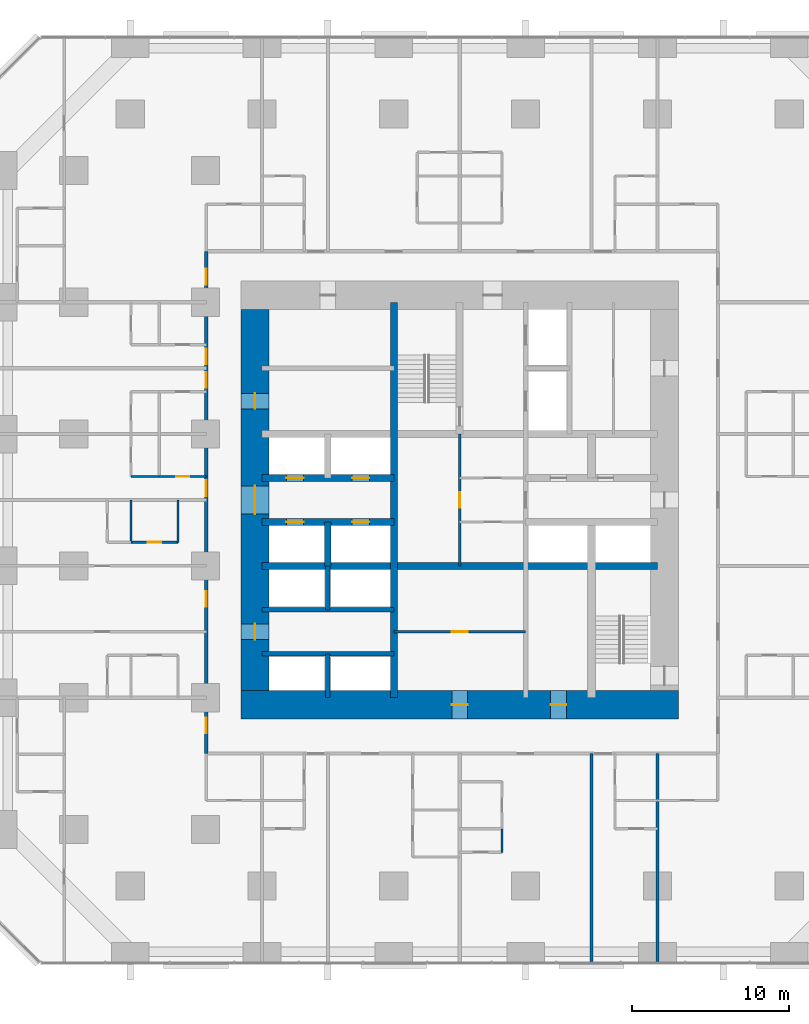
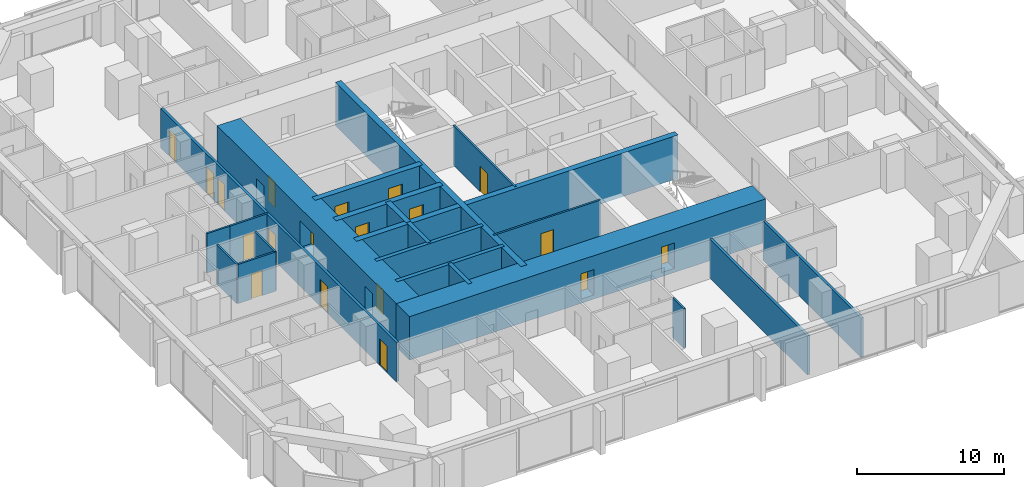
# One storey, part 12 of 17: 22 walls, 19 doors, 19 openings.
"""IFC4 building model written with IfcOpenShell, lengths in metres."""

from ifc_helpers import new_model, si_unit, direction, frame, frame_2d, origin, place, context, subcontext, project, spatial, rectangle, extrude, material, layer, layer_set, type_object, element, fill, save


model = new_model("IFC4")

# Units and contexts
model_context = context("Model", 3, precision=1e-05, world=origin(), true_north=direction((0.0, 1.0)))
body_context = subcontext(model_context, "Body", "Model", "MODEL_VIEW")
ifc_project = project(units=[si_unit("LENGTHUNIT", "METRE"), si_unit("AREAUNIT", "SQUARE_METRE"), si_unit("VOLUMEUNIT", "CUBIC_METRE"), si_unit("PLANEANGLEUNIT", "RADIAN"), si_unit("MASSUNIT", "GRAM", prefix="KILO")], contexts=[model_context])

# Site, building, storey
site_placement = place(None, origin())
site = spatial("IfcSite", under=ifc_project, at=site_placement, CompositionType="ELEMENT")
building_placement = place(site_placement, origin())
building = spatial("IfcBuilding", under=site, at=building_placement, Name="Dunama Terrace Hotel", CompositionType="ELEMENT")
storey_placement = place(building_placement, frame((0.0, 0.0, 37.800048828125)))
storey = spatial("IfcBuildingStorey", under=building, at=storey_placement, Name="L08", CompositionType="ELEMENT", Elevation=37.800048828125)

# Wall
ifc_material_1 = material(Name="Gypsum board partition", Category="masonry")
ifc_layer_1 = layer(ifc_material_1, 0.14990234375)
ifc_layer_set_1 = layer_set([ifc_layer_1], Name="Bathroom partition 150")
wall_type_1 = type_object("IfcWallType", Name="Bathroom partition 150", PredefinedType="PARTITIONING", material=ifc_layer_set_1)
wall_1_placement = place(storey_placement, frame((11.449951171875, 26.699951171875, 0.0), z_axis=(0.0, 0.0, 1.0), x_axis=(0.0, 1.0, 0.0)))
element("IfcWall", 1, at=wall_1_placement, inside=storey, type_object=wall_type_1, Name="Bathroom partition 150 L08", PredefinedType="PARTITIONING", context=body_context, shape_type="SweptSolid", body=[
    extrude(rectangle(XDim=2.699951171875, YDim=0.14990234375, at=frame_2d((1.35009765625, 0.0))), origin(), (0.0, 0.0, 1.0), 3.25),
])

# Wall, opening, door
wall_2_placement = place(storey_placement, frame((8.449951171875, 26.699951171875, 0.0), z_axis=(0.0, 0.0, 1.0), x_axis=(1.0, 0.0, 0.0)))
wall_2 = element("IfcWall", 2, at=wall_2_placement, inside=storey, type_object=wall_type_1, Name="Bathroom partition 150 L08", PredefinedType="PARTITIONING", context=body_context, shape_type="SweptSolid", body=[
    extrude(rectangle(XDim=3.0, YDim=0.14990234375, at=frame_2d((1.5, 0.0))), origin(), (0.0, 0.0, 1.0), 3.25),
])
opening_1_placement = place(wall_2_placement, frame((1.074951171875, 0.0, 0.0)))
opening_1 = element("IfcOpeningElement", 3, at=opening_1_placement, cuts=wall_2, Name="Opening L07-09-047", PredefinedType="OPENING", context=body_context, shape_type="SweptSolid", body=[
    extrude(rectangle(XDim=0.85009765625, YDim=2.10009765625, at=frame_2d((0.425048828125, 1.050048828125))), frame((0.0, 0.0849609375, 0.0), z_axis=(0.0, -1.0, 0.0), x_axis=(1.0, 0.0, 0.0)), (0.0, 0.0, 1.0), 0.169921875),
])
ifc_material_2 = material(Name="Timber door with steel frame", Category="steel")
door_type_1 = type_object("IfcDoorType", Name="Bathroom door 850", OperationType="SINGLE_SWING_LEFT", PredefinedType="DOOR", material=ifc_material_2)
door_1_placement = place(opening_1_placement, origin())
door_1 = element("IfcDoor", 4, at=door_1_placement, inside=storey, type_object=door_type_1, Name="Door to en-suite bathroom L07-09-047, type D2", OperationType="SINGLE_SWING_LEFT", OverallHeight=2.10009765625, OverallWidth=0.85009765625, PredefinedType="DOOR", context=body_context, shape_type="SweptSolid", body=[
    extrude(rectangle(XDim=0.85009765625, YDim=2.10009765625, at=frame_2d((0.425048828125, 1.050048828125))), frame((0.0, 0.02490234375, 0.0), z_axis=(0.0, -1.0, 0.0), x_axis=(1.0, 0.0, 0.0)), (0.0, 0.0, 1.0), 0.050048828125),
])
fill(opening_1, door_1)

wall_3_placement = place(storey_placement, frame((10.25, 30.89990234375, 0.0), z_axis=(0.0, 0.0, 1.0), x_axis=(1.0, 0.0, 0.0)))
wall_3 = element("IfcWall", 5, at=wall_3_placement, inside=storey, type_object=wall_type_1, Name="Bathroom partition 150 L08", PredefinedType="PARTITIONING", context=body_context, shape_type="SweptSolid", body=[
    extrude(rectangle(XDim=3.0, YDim=0.14990234375, at=frame_2d((1.5, 0.0))), origin(), (0.0, 0.0, 1.0), 3.25),
])
opening_2_placement = place(wall_3_placement, frame((1.074951171875, 0.0, 0.0)))
opening_2 = element("IfcOpeningElement", 6, at=opening_2_placement, cuts=wall_3, Name="Opening L07-09-050", PredefinedType="OPENING", context=body_context, shape_type="SweptSolid", body=[
    extrude(rectangle(XDim=0.85009765625, YDim=2.10009765625, at=frame_2d((0.425048828125, 1.050048828125))), frame((0.0, 0.0849609375, 0.0), z_axis=(0.0, -1.0, 0.0), x_axis=(1.0, 0.0, 0.0)), (0.0, 0.0, 1.0), 0.169921875),
])
door_2_placement = place(opening_2_placement, origin())
door_2 = element("IfcDoor", 7, at=door_2_placement, inside=storey, type_object=door_type_1, Name="Door to en-suite bathroom L07-09-050, type D2", OperationType="SINGLE_SWING_RIGHT", OverallHeight=2.10009765625, OverallWidth=0.85009765625, PredefinedType="DOOR", context=body_context, shape_type="SweptSolid", body=[
    extrude(rectangle(XDim=0.85009765625, YDim=2.10009765625, at=frame_2d((0.425048828125, 1.050048828125))), frame((0.0, 0.02490234375, 0.0), z_axis=(0.0, -1.0, 0.0), x_axis=(1.0, 0.0, 0.0)), (0.0, 0.0, 1.0), 0.050048828125),
])
fill(opening_2, door_2)

# Walls
ifc_material_3 = material(Name="Concrete C50/60", Category="concrete")
ifc_layer_2 = layer(ifc_material_3, 0.300048828125)
ifc_layer_set_2 = layer_set([ifc_layer_2], Name="Core inner wall 300")
wall_type_2 = type_object("IfcWallType", Name="Core inner wall 300", PredefinedType="SHEAR", material=ifc_layer_set_2)
for number, where, z_axis, x_axis, name in (
    (8, (21.0, 16.800048828125, -0.35009765625), (0.0, 0.0, 1.0), (0.0, 1.0, 0.0), "Core inner wall 300 L08"),
    (9, (21.0, 22.39990234375, -0.35009765625), (0.0, 0.0, 1.0), (0.0, 1.0, 0.0), "Core inner wall 300 L08"),
):
    element("IfcWall", number, at=place(storey_placement, frame(where, z_axis=z_axis, x_axis=x_axis)), inside=storey, type_object=wall_type_2, Name=name, PredefinedType="SHEAR", context=body_context, shape_type="SweptSolid", body=[
        extrude(rectangle(XDim=2.800048828125, YDim=0.300048828125, at=frame_2d((1.39990234375, 0.0))), origin(), (0.0, 0.0, 1.0), 3.60009765625),
    ])
for number, where, z_axis, x_axis, name in (
    (10, (16.800048828125, 19.60009765625, -0.35009765625), (0.0, 0.0, 1.0), (1.0, 0.0, 0.0), "Core inner wall 300 L08"),
    (11, (16.800048828125, 22.39990234375, -0.35009765625), (0.0, 0.0, 1.0), (1.0, 0.0, 0.0), "Core inner wall 300 L08"),
):
    element("IfcWall", number, at=place(storey_placement, frame(where, z_axis=z_axis, x_axis=x_axis)), inside=storey, type_object=wall_type_2, Name=name, PredefinedType="SHEAR", context=body_context, shape_type="SweptSolid", body=[
        extrude(rectangle(XDim=8.39990234375, YDim=0.300048828125, at=frame_2d((4.199951171875, 0.0))), origin(), (0.0, 0.0, 1.0), 3.60009765625),
    ])
ifc_material_4 = material(Name="Concrete C50/60", Category="concrete")
ifc_layer_3 = layer(ifc_material_4, 0.39990234375)
ifc_layer_set_3 = layer_set([ifc_layer_3], Name="Core inner wall 400")
wall_type_3 = type_object("IfcWallType", Name="Core inner wall 400", PredefinedType="SHEAR", material=ifc_layer_set_3)
wall_4_placement = place(storey_placement, frame((21.0, 25.199951171875, -0.35009765625), z_axis=(0.0, 0.0, 1.0), x_axis=(0.0, 1.0, 0.0)))
element("IfcWall", 12, at=wall_4_placement, inside=storey, type_object=wall_type_3, Name="Core inner wall 400 L08", PredefinedType="SHEAR", context=body_context, shape_type="SweptSolid", body=[
    extrude(rectangle(XDim=2.800048828125, YDim=0.39990234375, at=frame_2d((1.39990234375, 0.0))), origin(), (0.0, 0.0, 1.0), 3.60009765625),
])
ifc_material_5 = material(Name="Concrete C50/60", Category="concrete")
ifc_layer_4 = layer(ifc_material_5, 0.449951171875)
ifc_layer_set_4 = layer_set([ifc_layer_4], Name="Core inner wall 450")
wall_type_4 = type_object("IfcWallType", Name="Core inner wall 450", PredefinedType="SHEAR", material=ifc_layer_set_4)
for number, where, z_axis, x_axis, name in (
    (13, (25.199951171875, 16.800048828125, -0.35009765625), (0.0, 0.0, 1.0), (0.0, 1.0, 0.0), "Core inner wall 450 L08"),
    (14, (16.800048828125, 25.199951171875, -0.35009765625), (0.0, 0.0, 1.0), (1.0, 0.0, 0.0), "Core inner wall 450 L08"),
):
    element("IfcWall", number, at=place(storey_placement, frame(where, z_axis=z_axis, x_axis=x_axis)), inside=storey, type_object=wall_type_4, Name=name, PredefinedType="SHEAR", context=body_context, shape_type="SweptSolid", body=[
        extrude(rectangle(XDim=25.199951171875, YDim=0.449951171875, at=frame_2d((12.60009765625, 0.0))), origin(), (0.0, 0.0, 1.0), 3.60009765625),
    ])

# Wall, openings, doors
wall_5_placement = place(storey_placement, frame((16.800048828125, 28.0, -0.35009765625), z_axis=(0.0, 0.0, 1.0), x_axis=(1.0, 0.0, 0.0)))
wall_5 = element("IfcWall", 15, at=wall_5_placement, inside=storey, type_object=wall_type_4, Name="Core inner wall 450 L08", PredefinedType="SHEAR", context=body_context, shape_type="SweptSolid", body=[
    extrude(rectangle(XDim=8.39990234375, YDim=0.449951171875, at=frame_2d((4.199951171875, 0.0))), origin(), (0.0, 0.0, 1.0), 3.60009765625),
])
opening_3_placement = place(wall_5_placement, frame((1.550048828125, 0.0, 0.35009765625)))
opening_3 = element("IfcOpeningElement", 16, at=opening_3_placement, cuts=wall_5, Name="Opening L07-09-003", PredefinedType="OPENING", context=body_context, shape_type="SweptSolid", body=[
    extrude(rectangle(XDim=1.10009765625, YDim=2.199951171875, at=frame_2d((0.550048828125, 1.10009765625))), frame((0.0, 0.23486328125, 0.0), z_axis=(0.0, -1.0, 0.0), x_axis=(1.0, 0.0, 0.0)), (0.0, 0.0, 1.0), 0.469970703125),
])
opening_4_placement = place(wall_5_placement, frame((5.75, 0.0, 0.35009765625)))
opening_4 = element("IfcOpeningElement", 17, at=opening_4_placement, cuts=wall_5, Name="Opening L07-09-004", PredefinedType="OPENING", context=body_context, shape_type="SweptSolid", body=[
    extrude(rectangle(XDim=1.10009765625, YDim=2.199951171875, at=frame_2d((0.550048828125, 1.10009765625))), frame((0.0, 0.23486328125, 0.0), z_axis=(0.0, -1.0, 0.0), x_axis=(1.0, 0.0, 0.0)), (0.0, 0.0, 1.0), 0.469970703125),
])
ifc_material_6 = material(Name="Stainless steel lift door", Category="steel")
door_type_2 = type_object("IfcDoorType", Name="Lift landing door 1100", OperationType="DOUBLE_DOOR_SLIDING", PredefinedType="DOOR", material=ifc_material_6)
door_3_placement = place(opening_3_placement, origin())
door_3 = element("IfcDoor", 18, at=door_3_placement, inside=storey, type_object=door_type_2, Name="Landing door PA1 L07-09-003, type LD1", OperationType="DOUBLE_DOOR_SLIDING", OverallHeight=2.199951171875, OverallWidth=1.10009765625, PredefinedType="DOOR", context=body_context, shape_type="SweptSolid", body=[
    extrude(rectangle(XDim=1.10009765625, YDim=2.199951171875, at=frame_2d((0.550048828125, 1.10009765625))), frame((0.0, 0.02490234375, 0.0), z_axis=(0.0, -1.0, 0.0), x_axis=(1.0, 0.0, 0.0)), (0.0, 0.0, 1.0), 0.050048828125),
])
fill(opening_3, door_3)
door_4_placement = place(opening_4_placement, origin())
door_4 = element("IfcDoor", 19, at=door_4_placement, inside=storey, type_object=door_type_2, Name="Landing door PA2 L07-09-004, type LD1", OperationType="DOUBLE_DOOR_SLIDING", OverallHeight=2.199951171875, OverallWidth=1.10009765625, PredefinedType="DOOR", context=body_context, shape_type="SweptSolid", body=[
    extrude(rectangle(XDim=1.10009765625, YDim=2.199951171875, at=frame_2d((0.550048828125, 1.10009765625))), frame((0.0, 0.02490234375, 0.0), z_axis=(0.0, -1.0, 0.0), x_axis=(1.0, 0.0, 0.0)), (0.0, 0.0, 1.0), 0.050048828125),
])
fill(opening_4, door_4)

wall_6_placement = place(storey_placement, frame((16.800048828125, 30.800048828125, -0.35009765625), z_axis=(0.0, 0.0, 1.0), x_axis=(1.0, 0.0, 0.0)))
wall_6 = element("IfcWall", 20, at=wall_6_placement, inside=storey, type_object=wall_type_4, Name="Core inner wall 450 L08", PredefinedType="SHEAR", context=body_context, shape_type="SweptSolid", body=[
    extrude(rectangle(XDim=8.39990234375, YDim=0.449951171875, at=frame_2d((4.199951171875, 0.0))), origin(), (0.0, 0.0, 1.0), 3.60009765625),
])
opening_5_placement = place(wall_6_placement, frame((1.550048828125, 0.0, 0.35009765625)))
opening_5 = element("IfcOpeningElement", 21, at=opening_5_placement, cuts=wall_6, Name="Opening L07-09-005", PredefinedType="OPENING", context=body_context, shape_type="SweptSolid", body=[
    extrude(rectangle(XDim=1.10009765625, YDim=2.199951171875, at=frame_2d((0.550048828125, 1.10009765625))), frame((0.0, 0.23486328125, 0.0), z_axis=(0.0, -1.0, 0.0), x_axis=(1.0, 0.0, 0.0)), (0.0, 0.0, 1.0), 0.469970703125),
])
opening_6_placement = place(wall_6_placement, frame((5.75, 0.0, 0.35009765625)))
opening_6 = element("IfcOpeningElement", 22, at=opening_6_placement, cuts=wall_6, Name="Opening L07-09-006", PredefinedType="OPENING", context=body_context, shape_type="SweptSolid", body=[
    extrude(rectangle(XDim=1.10009765625, YDim=2.199951171875, at=frame_2d((0.550048828125, 1.10009765625))), frame((0.0, 0.23486328125, 0.0), z_axis=(0.0, -1.0, 0.0), x_axis=(1.0, 0.0, 0.0)), (0.0, 0.0, 1.0), 0.469970703125),
])
door_5_placement = place(opening_5_placement, origin())
door_5 = element("IfcDoor", 23, at=door_5_placement, inside=storey, type_object=door_type_2, Name="Landing door PA3 L07-09-005, type LD1", OperationType="DOUBLE_DOOR_SLIDING", OverallHeight=2.199951171875, OverallWidth=1.10009765625, PredefinedType="DOOR", context=body_context, shape_type="SweptSolid", body=[
    extrude(rectangle(XDim=1.10009765625, YDim=2.199951171875, at=frame_2d((0.550048828125, 1.10009765625))), frame((0.0, 0.02490234375, 0.0), z_axis=(0.0, -1.0, 0.0), x_axis=(1.0, 0.0, 0.0)), (0.0, 0.0, 1.0), 0.050048828125),
])
fill(opening_5, door_5)
door_6_placement = place(opening_6_placement, origin())
door_6 = element("IfcDoor", 24, at=door_6_placement, inside=storey, type_object=door_type_2, Name="Landing door PA4 L07-09-006, type LD1", OperationType="DOUBLE_DOOR_SLIDING", OverallHeight=2.199951171875, OverallWidth=1.10009765625, PredefinedType="DOOR", context=body_context, shape_type="SweptSolid", body=[
    extrude(rectangle(XDim=1.10009765625, YDim=2.199951171875, at=frame_2d((0.550048828125, 1.10009765625))), frame((0.0, 0.02490234375, 0.0), z_axis=(0.0, -1.0, 0.0), x_axis=(1.0, 0.0, 0.0)), (0.0, 0.0, 1.0), 0.050048828125),
])
fill(opening_6, door_6)

ifc_material_7 = material(Name="Concrete C60/75", Category="concrete")
ifc_layer_5 = layer(ifc_material_7, 1.800048828125)
ifc_layer_set_5 = layer_set([ifc_layer_5], Name="Core wall 1800")
wall_type_5 = type_object("IfcWallType", Name="Core wall 1800", PredefinedType="SHEAR", material=ifc_layer_set_5)
wall_7_placement = place(storey_placement, frame((15.449951171875, 16.35009765625, -0.35009765625), z_axis=(0.0, 0.0, 1.0), x_axis=(1.0, 0.0, 0.0)))
wall_7 = element("IfcWall", 25, at=wall_7_placement, inside=storey, type_object=wall_type_5, Name="Core wall south L08", PredefinedType="SHEAR", context=body_context, shape_type="SweptSolid", body=[
    extrude(rectangle(XDim=27.900146484375, YDim=1.800048828125, at=frame_2d((13.9501953125, 0.0))), origin(), (0.0, 0.0, 1.0), 3.60009765625),
])
opening_7_placement = place(wall_7_placement, frame((13.449951171875, 0.0, 0.35009765625)))
opening_7 = element("IfcOpeningElement", 26, at=opening_7_placement, cuts=wall_7, Name="Opening L07-09-092", PredefinedType="OPENING", context=body_context, shape_type="SweptSolid", body=[
    extrude(rectangle(XDim=1.0, YDim=2.10009765625, at=frame_2d((0.5, 1.050048828125))), frame((0.0, 0.909912109375, 0.0), z_axis=(0.0, -1.0, 0.0), x_axis=(1.0, 0.0, 0.0)), (0.0, 0.0, 1.0), 1.820068359375),
])
opening_8_placement = place(wall_7_placement, frame((19.75, 0.0, 0.35009765625)))
opening_8 = element("IfcOpeningElement", 27, at=opening_8_placement, cuts=wall_7, Name="Opening L07-09-094", PredefinedType="OPENING", context=body_context, shape_type="SweptSolid", body=[
    extrude(rectangle(XDim=1.0, YDim=2.10009765625, at=frame_2d((0.5, 1.050048828125))), frame((0.0, 0.909912109375, 0.0), z_axis=(0.0, -1.0, 0.0), x_axis=(1.0, 0.0, 0.0)), (0.0, 0.0, 1.0), 1.820068359375),
])
ifc_material_8 = material(Name="Timber door with steel frame", Category="steel")
door_type_3 = type_object("IfcDoorType", Name="Service door 1000", OperationType="SINGLE_SWING_LEFT", PredefinedType="DOOR", material=ifc_material_8)
door_7_placement = place(opening_7_placement, origin())
door_7 = element("IfcDoor", 28, at=door_7_placement, inside=storey, type_object=door_type_3, Name="Door to corridor air handling room L07-09-092, type D7", OperationType="SINGLE_SWING_LEFT", OverallHeight=2.10009765625, OverallWidth=1.0, PredefinedType="DOOR", context=body_context, shape_type="SweptSolid", body=[
    extrude(rectangle(XDim=1.0, YDim=2.10009765625, at=frame_2d((0.5, 1.050048828125))), frame((0.0, 0.02490234375, 0.0), z_axis=(0.0, -1.0, 0.0), x_axis=(1.0, 0.0, 0.0)), (0.0, 0.0, 1.0), 0.050048828125),
])
fill(opening_7, door_7)
door_8_placement = place(opening_8_placement, origin())
door_8 = element("IfcDoor", 29, at=door_8_placement, inside=storey, type_object=door_type_3, Name="Door to water riser room L07-09-094, type D7", OperationType="SINGLE_SWING_RIGHT", OverallHeight=2.10009765625, OverallWidth=1.0, PredefinedType="DOOR", context=body_context, shape_type="SweptSolid", body=[
    extrude(rectangle(XDim=1.0, YDim=2.10009765625, at=frame_2d((0.5, 1.050048828125))), frame((0.0, 0.02490234375, 0.0), z_axis=(0.0, -1.0, 0.0), x_axis=(1.0, 0.0, 0.0)), (0.0, 0.0, 1.0), 0.050048828125),
])
fill(opening_8, door_8)

wall_8_placement = place(storey_placement, frame((16.35009765625, 41.550048828125, -0.35009765625), z_axis=(0.0, 0.0, 1.0), x_axis=(0.0, -1.0, 0.0)))
wall_8 = element("IfcWall", 30, at=wall_8_placement, inside=storey, type_object=wall_type_5, Name="Core wall west L08", PredefinedType="SHEAR", context=body_context, shape_type="SweptSolid", body=[
    extrude(rectangle(XDim=24.300048828125, YDim=1.800048828125, at=frame_2d((12.14990234375, 0.0))), origin(), (0.0, 0.0, 1.0), 3.60009765625),
])
opening_9_placement = place(wall_8_placement, frame((11.25, 0.0, 0.35009765625)))
opening_9 = element("IfcOpeningElement", 31, at=opening_9_placement, cuts=wall_8, Name="Opening L07-09-078", PredefinedType="OPENING", context=body_context, shape_type="SweptSolid", body=[
    extrude(rectangle(XDim=1.800048828125, YDim=2.199951171875, at=frame_2d((0.89990234375, 1.10009765625))), frame((0.0, 0.909912109375, 0.0), z_axis=(0.0, -1.0, 0.0), x_axis=(1.0, 0.0, 0.0)), (0.0, 0.0, 1.0), 1.820068359375),
])
opening_10_placement = place(wall_8_placement, frame((20.050048828125, 0.0, 0.35009765625)))
opening_10 = element("IfcOpeningElement", 32, at=opening_10_placement, cuts=wall_8, Name="Opening L07-09-079", PredefinedType="OPENING", context=body_context, shape_type="SweptSolid", body=[
    extrude(rectangle(XDim=1.0, YDim=2.10009765625, at=frame_2d((0.5, 1.050048828125))), frame((0.0, 0.909912109375, 0.0), z_axis=(0.0, -1.0, 0.0), x_axis=(1.0, 0.0, 0.0)), (0.0, 0.0, 1.0), 1.820068359375),
])
opening_11_placement = place(wall_8_placement, frame((5.35009765625, 0.0, 0.35009765625)))
opening_11 = element("IfcOpeningElement", 33, at=opening_11_placement, cuts=wall_8, Name="Opening L07-09-080", PredefinedType="OPENING", context=body_context, shape_type="SweptSolid", body=[
    extrude(rectangle(XDim=1.0, YDim=2.10009765625, at=frame_2d((0.5, 1.050048828125))), frame((0.0, 0.909912109375, 0.0), z_axis=(0.0, -1.0, 0.0), x_axis=(1.0, 0.0, 0.0)), (0.0, 0.0, 1.0), 1.820068359375),
])
ifc_material_9 = material(Name="Timber door with steel frame", Category="steel")
door_type_4 = type_object("IfcDoorType", Name="Lift lobby double door 1800", OperationType="DOUBLE_DOOR_DOUBLE_SWING", PredefinedType="DOOR", material=ifc_material_9)
door_9_placement = place(opening_9_placement, origin())
door_9 = element("IfcDoor", 34, at=door_9_placement, inside=storey, type_object=door_type_4, Name="Door to lift lobby L07-09-078, type D3", OperationType="DOUBLE_DOOR_DOUBLE_SWING", OverallHeight=2.199951171875, OverallWidth=1.800048828125, PredefinedType="DOOR", context=body_context, shape_type="SweptSolid", body=[
    extrude(rectangle(XDim=1.800048828125, YDim=2.199951171875, at=frame_2d((0.89990234375, 1.10009765625))), frame((0.0, 0.02490234375, 0.0), z_axis=(0.0, -1.0, 0.0), x_axis=(1.0, 0.0, 0.0)), (0.0, 0.0, 1.0), 0.050048828125),
])
fill(opening_9, door_9)
door_10_placement = place(opening_10_placement, origin())
door_10 = element("IfcDoor", 35, at=door_10_placement, inside=storey, type_object=door_type_3, Name="Door to service lobby L07-09-079, type D7", OperationType="SINGLE_SWING_RIGHT", OverallHeight=2.10009765625, OverallWidth=1.0, PredefinedType="DOOR", context=body_context, shape_type="SweptSolid", body=[
    extrude(rectangle(XDim=1.0, YDim=2.10009765625, at=frame_2d((0.5, 1.050048828125))), frame((0.0, 0.02490234375, 0.0), z_axis=(0.0, -1.0, 0.0), x_axis=(1.0, 0.0, 0.0)), (0.0, 0.0, 1.0), 0.050048828125),
])
fill(opening_10, door_10)
door_11_placement = place(opening_11_placement, origin())
door_11 = element("IfcDoor", 36, at=door_11_placement, inside=storey, type_object=door_type_3, Name="Door to electrical room L07-09-080, type D7", OperationType="SINGLE_SWING_RIGHT", OverallHeight=2.10009765625, OverallWidth=1.0, PredefinedType="DOOR", context=body_context, shape_type="SweptSolid", body=[
    extrude(rectangle(XDim=1.0, YDim=2.10009765625, at=frame_2d((0.5, 1.050048828125))), frame((0.0, 0.02490234375, 0.0), z_axis=(0.0, -1.0, 0.0), x_axis=(1.0, 0.0, 0.0)), (0.0, 0.0, 1.0), 0.050048828125),
])
fill(opening_11, door_11)

ifc_material_10 = material(Name="Concrete blockwork", Category="masonry")
ifc_layer_6 = layer(ifc_material_10, 0.199951171875)
ifc_layer_set_6 = layer_set([ifc_layer_6], Name="Corridor partition 200")
wall_type_6 = type_object("IfcWallType", Name="Corridor partition 200", PredefinedType="PARTITIONING", material=ifc_layer_set_6)
wall_9_placement = place(storey_placement, frame((13.25, 13.25, 0.0), z_axis=(0.0, 0.0, 1.0), x_axis=(0.0, 1.0, 0.0)))
wall_9 = element("IfcWall", 37, at=wall_9_placement, inside=storey, type_object=wall_type_6, Name="Corridor partition 200 L08", PredefinedType="PARTITIONING", context=body_context, shape_type="SweptSolid", body=[
    extrude(rectangle(XDim=32.0, YDim=0.199951171875, at=frame_2d((16.0, 0.0))), origin(), (0.0, 0.0, 1.0), 3.25),
])
opening_12_placement = place(wall_9_placement, frame((9.35009765625, 0.0, 0.0)))
opening_12 = element("IfcOpeningElement", 38, at=opening_12_placement, cuts=wall_9, Name="Opening L07-09-042", PredefinedType="OPENING", context=body_context, shape_type="SweptSolid", body=[
    extrude(rectangle(XDim=1.0, YDim=2.199951171875, at=frame_2d((0.5, 1.10009765625))), frame((0.0, 0.10986328125, 0.0), z_axis=(0.0, -1.0, 0.0), x_axis=(1.0, 0.0, 0.0)), (0.0, 0.0, 1.0), 0.219970703125),
])
opening_13_placement = place(wall_9_placement, frame((16.39990234375, 0.0, 0.0)))
opening_13 = element("IfcOpeningElement", 39, at=opening_13_placement, cuts=wall_9, Name="Opening L07-09-049", PredefinedType="OPENING", context=body_context, shape_type="SweptSolid", body=[
    extrude(rectangle(XDim=1.0, YDim=2.199951171875, at=frame_2d((0.5, 1.10009765625))), frame((0.0, 0.10986328125, 0.0), z_axis=(0.0, -1.0, 0.0), x_axis=(1.0, 0.0, 0.0)), (0.0, 0.0, 1.0), 0.219970703125),
])
opening_14_placement = place(wall_9_placement, frame((23.300048828125, 0.0, 0.0)))
opening_14 = element("IfcOpeningElement", 40, at=opening_14_placement, cuts=wall_9, Name="Opening L07-09-052", PredefinedType="OPENING", context=body_context, shape_type="SweptSolid", body=[
    extrude(rectangle(XDim=1.0, YDim=2.199951171875, at=frame_2d((0.5, 1.10009765625))), frame((0.0, 0.10986328125, 0.0), z_axis=(0.0, -1.0, 0.0), x_axis=(1.0, 0.0, 0.0)), (0.0, 0.0, 1.0), 0.219970703125),
])
opening_15_placement = place(wall_9_placement, frame((24.800048828125, 0.0, 0.0)))
opening_15 = element("IfcOpeningElement", 41, at=opening_15_placement, cuts=wall_9, Name="Opening L07-09-055", PredefinedType="OPENING", context=body_context, shape_type="SweptSolid", body=[
    extrude(rectangle(XDim=1.0, YDim=2.199951171875, at=frame_2d((0.5, 1.10009765625))), frame((0.0, 0.10986328125, 0.0), z_axis=(0.0, -1.0, 0.0), x_axis=(1.0, 0.0, 0.0)), (0.0, 0.0, 1.0), 0.219970703125),
])
opening_16_placement = place(wall_9_placement, frame((1.27490234375, 0.0, 0.0)))
opening_16 = element("IfcOpeningElement", 42, at=opening_16_placement, cuts=wall_9, Name="Opening L07-09-058", PredefinedType="OPENING", context=body_context, shape_type="SweptSolid", body=[
    extrude(rectangle(XDim=1.0, YDim=2.199951171875, at=frame_2d((0.5, 1.10009765625))), frame((0.0, 0.10986328125, 0.0), z_axis=(0.0, -1.0, 0.0), x_axis=(1.0, 0.0, 0.0)), (0.0, 0.0, 1.0), 0.219970703125),
])
opening_17_placement = place(wall_9_placement, frame((29.875, 0.0, 0.0)))
opening_17 = element("IfcOpeningElement", 43, at=opening_17_placement, cuts=wall_9, Name="Opening L07-09-073", PredefinedType="OPENING", context=body_context, shape_type="SweptSolid", body=[
    extrude(rectangle(XDim=1.0, YDim=2.199951171875, at=frame_2d((0.5, 1.10009765625))), frame((0.0, 0.10986328125, 0.0), z_axis=(0.0, -1.0, 0.0), x_axis=(1.0, 0.0, 0.0)), (0.0, 0.0, 1.0), 0.219970703125),
])
ifc_material_11 = material(Name="Timber door with steel frame", Category="steel")
door_type_5 = type_object("IfcDoorType", Name="Guest room door 1000", OperationType="SINGLE_SWING_LEFT", PredefinedType="DOOR", material=ifc_material_11)
door_12_placement = place(opening_12_placement, origin())
door_12 = element("IfcDoor", 44, at=door_12_placement, inside=storey, type_object=door_type_5, Name="Door to family suite living room L07-09-042, type D1", OperationType="SINGLE_SWING_RIGHT", OverallHeight=2.199951171875, OverallWidth=1.0, PredefinedType="DOOR", context=body_context, shape_type="SweptSolid", body=[
    extrude(rectangle(XDim=1.0, YDim=2.199951171875, at=frame_2d((0.5, 1.10009765625))), frame((0.0, 0.02490234375, 0.0), z_axis=(0.0, -1.0, 0.0), x_axis=(1.0, 0.0, 0.0)), (0.0, 0.0, 1.0), 0.050048828125),
])
fill(opening_12, door_12)
door_13_placement = place(opening_13_placement, origin())
door_13 = element("IfcDoor", 45, at=door_13_placement, inside=storey, type_object=door_type_5, Name="Door to deluxe room L07-09-049, type D1", OperationType="SINGLE_SWING_LEFT", OverallHeight=2.199951171875, OverallWidth=1.0, PredefinedType="DOOR", context=body_context, shape_type="SweptSolid", body=[
    extrude(rectangle(XDim=1.0, YDim=2.199951171875, at=frame_2d((0.5, 1.10009765625))), frame((0.0, 0.02490234375, 0.0), z_axis=(0.0, -1.0, 0.0), x_axis=(1.0, 0.0, 0.0)), (0.0, 0.0, 1.0), 0.050048828125),
])
fill(opening_13, door_13)
door_14_placement = place(opening_14_placement, origin())
door_14 = element("IfcDoor", 46, at=door_14_placement, inside=storey, type_object=door_type_5, Name="Door to deluxe room L07-09-052, type D1", OperationType="SINGLE_SWING_RIGHT", OverallHeight=2.199951171875, OverallWidth=1.0, PredefinedType="DOOR", context=body_context, shape_type="SweptSolid", body=[
    extrude(rectangle(XDim=1.0, YDim=2.199951171875, at=frame_2d((0.5, 1.10009765625))), frame((0.0, 0.02490234375, 0.0), z_axis=(0.0, -1.0, 0.0), x_axis=(1.0, 0.0, 0.0)), (0.0, 0.0, 1.0), 0.050048828125),
])
fill(opening_14, door_14)
door_15_placement = place(opening_15_placement, origin())
door_15 = element("IfcDoor", 47, at=door_15_placement, inside=storey, type_object=door_type_5, Name="Door to deluxe room L07-09-055, type D1", OperationType="SINGLE_SWING_LEFT", OverallHeight=2.199951171875, OverallWidth=1.0, PredefinedType="DOOR", context=body_context, shape_type="SweptSolid", body=[
    extrude(rectangle(XDim=1.0, YDim=2.199951171875, at=frame_2d((0.5, 1.10009765625))), frame((0.0, 0.02490234375, 0.0), z_axis=(0.0, -1.0, 0.0), x_axis=(1.0, 0.0, 0.0)), (0.0, 0.0, 1.0), 0.050048828125),
])
fill(opening_15, door_15)
door_16_placement = place(opening_16_placement, origin())
door_16 = element("IfcDoor", 48, at=door_16_placement, inside=storey, type_object=door_type_5, Name="Door to corner suite living room L07-09-058, type D1", OperationType="SINGLE_SWING_RIGHT", OverallHeight=2.199951171875, OverallWidth=1.0, PredefinedType="DOOR", context=body_context, shape_type="SweptSolid", body=[
    extrude(rectangle(XDim=1.0, YDim=2.199951171875, at=frame_2d((0.5, 1.10009765625))), frame((0.0, 0.02490234375, 0.0), z_axis=(0.0, -1.0, 0.0), x_axis=(1.0, 0.0, 0.0)), (0.0, 0.0, 1.0), 0.050048828125),
])
fill(opening_16, door_16)
door_17_placement = place(opening_17_placement, origin())
door_17 = element("IfcDoor", 49, at=door_17_placement, inside=storey, type_object=door_type_5, Name="Door to corner suite living room L07-09-073, type D1", OperationType="SINGLE_SWING_LEFT", OverallHeight=2.199951171875, OverallWidth=1.0, PredefinedType="DOOR", context=body_context, shape_type="SweptSolid", body=[
    extrude(rectangle(XDim=1.0, YDim=2.199951171875, at=frame_2d((0.5, 1.10009765625))), frame((0.0, 0.02490234375, 0.0), z_axis=(0.0, -1.0, 0.0), x_axis=(1.0, 0.0, 0.0)), (0.0, 0.0, 1.0), 0.050048828125),
])
fill(opening_17, door_17)

# Walls
ifc_material_12 = material(Name="Concrete blockwork", Category="masonry")
ifc_layer_7 = layer(ifc_material_12, 0.199951171875)
ifc_layer_set_7 = layer_set([ifc_layer_7], Name="Party wall 200")
wall_type_7 = type_object("IfcWallType", Name="Party wall 200", PredefinedType="PARTITIONING", material=ifc_layer_set_7)
for number, where, z_axis, x_axis, name in (
    (50, (37.800048828125, -0.008056640625, 0.0), (0.0, 0.0, 1.0), (0.0, 1.0, 0.0), "Party wall 200 L08"),
    (51, (42.0, -0.008056640625, 0.0), (0.0, 0.0, 1.0), (0.0, 1.0, 0.0), "Party wall 200 L08"),
):
    element("IfcWall", number, at=place(storey_placement, frame(where, z_axis=z_axis, x_axis=x_axis)), inside=storey, type_object=wall_type_7, Name=name, PredefinedType="PARTITIONING", context=body_context, shape_type="SweptSolid", body=[
        extrude(rectangle(XDim=13.258056640625, YDim=0.199951171875, at=frame_2d((6.62890625, 0.0))), origin(), (0.0, 0.0, 1.0), 3.25),
    ])
ifc_material_13 = material(Name="Gypsum board partition", Category="masonry")
ifc_layer_8 = layer(ifc_material_13, 0.14990234375)
ifc_layer_set_8 = layer_set([ifc_layer_8], Name="Room partition 150")
wall_type_8 = type_object("IfcWallType", Name="Room partition 150", PredefinedType="PARTITIONING", material=ifc_layer_set_8)
wall_10_placement = place(storey_placement, frame((8.449951171875, 26.699951171875, 0.0), z_axis=(0.0, 0.0, 1.0), x_axis=(0.0, 1.0, 0.0)))
element("IfcWall", 52, at=wall_10_placement, inside=storey, type_object=wall_type_8, Name="Room partition 150 L08", PredefinedType="PARTITIONING", context=body_context, shape_type="SweptSolid", body=[
    extrude(rectangle(XDim=2.699951171875, YDim=0.14990234375, at=frame_2d((1.35009765625, 0.0))), origin(), (0.0, 0.0, 1.0), 3.25),
])

# Wall, opening, door
wall_11_placement = place(storey_placement, frame((29.39990234375, 25.199951171875, 0.0), z_axis=(0.0, 0.0, 1.0), x_axis=(0.0, 1.0, 0.0)))
wall_11 = element("IfcWall", 53, at=wall_11_placement, inside=storey, type_object=wall_type_8, Name="Room partition 150 L08", PredefinedType="PARTITIONING", context=body_context, shape_type="SweptSolid", body=[
    extrude(rectangle(XDim=8.400146484375, YDim=0.14990234375, at=frame_2d((4.2001953125, 0.0))), origin(), (0.0, 0.0, 1.0), 3.25),
])
opening_18_placement = place(wall_11_placement, frame((3.699951171875, 0.0, 0.0)))
opening_18 = element("IfcOpeningElement", 54, at=opening_18_placement, cuts=wall_11, Name="Opening L07-09-085", PredefinedType="OPENING", context=body_context, shape_type="SweptSolid", body=[
    extrude(rectangle(XDim=1.0, YDim=2.10009765625, at=frame_2d((0.5, 1.050048828125))), frame((0.0, 0.0849609375, 0.0), z_axis=(0.0, -1.0, 0.0), x_axis=(1.0, 0.0, 0.0)), (0.0, 0.0, 1.0), 0.169921875),
])
door_18_placement = place(opening_18_placement, origin())
door_18 = element("IfcDoor", 55, at=door_18_placement, inside=storey, type_object=door_type_3, Name="Door to staff break room L07-09-085, type D7", OperationType="SINGLE_SWING_LEFT", OverallHeight=2.10009765625, OverallWidth=1.0, PredefinedType="DOOR", context=body_context, shape_type="SweptSolid", body=[
    extrude(rectangle(XDim=1.0, YDim=2.10009765625, at=frame_2d((0.5, 1.050048828125))), frame((0.0, 0.02490234375, 0.0), z_axis=(0.0, -1.0, 0.0), x_axis=(1.0, 0.0, 0.0)), (0.0, 0.0, 1.0), 0.050048828125),
])
fill(opening_18, door_18)

# Wall
wall_12_placement = place(storey_placement, frame((32.10009765625, 6.949951171875, 0.0), z_axis=(0.0, 0.0, 1.0), x_axis=(0.0, 1.0, 0.0)))
element("IfcWall", 56, at=wall_12_placement, inside=storey, type_object=wall_type_8, Name="Room partition 150 L08", PredefinedType="PARTITIONING", context=body_context, shape_type="SweptSolid", body=[
    extrude(rectangle(XDim=1.5, YDim=0.14990234375, at=frame_2d((0.75, 0.0))), origin(), (0.0, 0.0, 1.0), 3.25),
])

# Wall, opening, door
wall_13_placement = place(storey_placement, frame((25.199951171875, 21.0, 0.0), z_axis=(0.0, 0.0, 1.0), x_axis=(1.0, 0.0, 0.0)))
wall_13 = element("IfcWall", 57, at=wall_13_placement, inside=storey, type_object=wall_type_8, Name="Room partition 150 L08", PredefinedType="PARTITIONING", context=body_context, shape_type="SweptSolid", body=[
    extrude(rectangle(XDim=8.400146484375, YDim=0.14990234375, at=frame_2d((4.2001953125, 0.0))), origin(), (0.0, 0.0, 1.0), 3.25),
])
opening_19_placement = place(wall_13_placement, frame((3.699951171875, 0.0, 0.0)))
opening_19 = element("IfcOpeningElement", 58, at=opening_19_placement, cuts=wall_13, Name="Opening L07-09-093", PredefinedType="OPENING", context=body_context, shape_type="SweptSolid", body=[
    extrude(rectangle(XDim=1.0, YDim=2.10009765625, at=frame_2d((0.5, 1.050048828125))), frame((0.0, 0.0849609375, 0.0), z_axis=(0.0, -1.0, 0.0), x_axis=(1.0, 0.0, 0.0)), (0.0, 0.0, 1.0), 0.169921875),
])
door_19_placement = place(opening_19_placement, origin())
door_19 = element("IfcDoor", 59, at=door_19_placement, inside=storey, type_object=door_type_3, Name="Door to stair pressurisation fan room L07-09-093, type D7", OperationType="SINGLE_SWING_LEFT", OverallHeight=2.10009765625, OverallWidth=1.0, PredefinedType="DOOR", context=body_context, shape_type="SweptSolid", body=[
    extrude(rectangle(XDim=1.0, YDim=2.10009765625, at=frame_2d((0.5, 1.050048828125))), frame((0.0, 0.02490234375, 0.0), z_axis=(0.0, -1.0, 0.0), x_axis=(1.0, 0.0, 0.0)), (0.0, 0.0, 1.0), 0.050048828125),
])
fill(opening_19, door_19)

# Wall
wall_14_placement = place(storey_placement, frame((8.449951171875, 30.89990234375, 0.0), z_axis=(0.0, 0.0, 1.0), x_axis=(1.0, 0.0, 0.0)))
element("IfcWall", 60, at=wall_14_placement, inside=storey, type_object=wall_type_8, Name="Room partition 150 L08", PredefinedType="PARTITIONING", context=body_context, shape_type="SweptSolid", body=[
    extrude(rectangle(XDim=1.800048828125, YDim=0.14990234375, at=frame_2d((0.89990234375, 0.0))), origin(), (0.0, 0.0, 1.0), 3.25),
])

save(model, "model.ifc")
